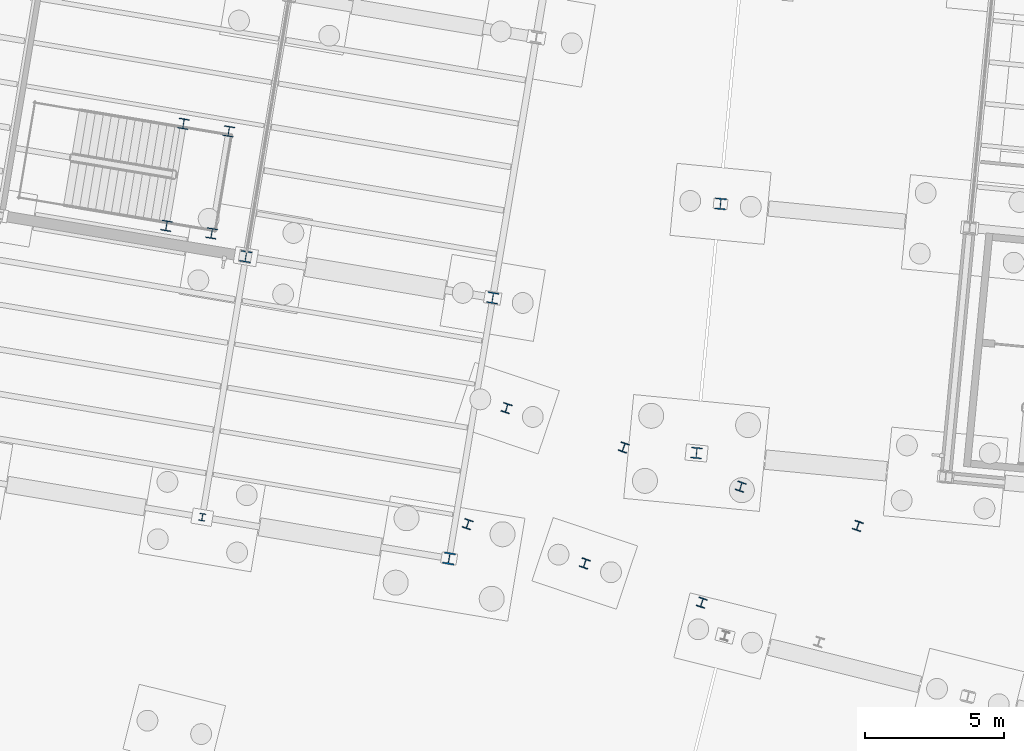
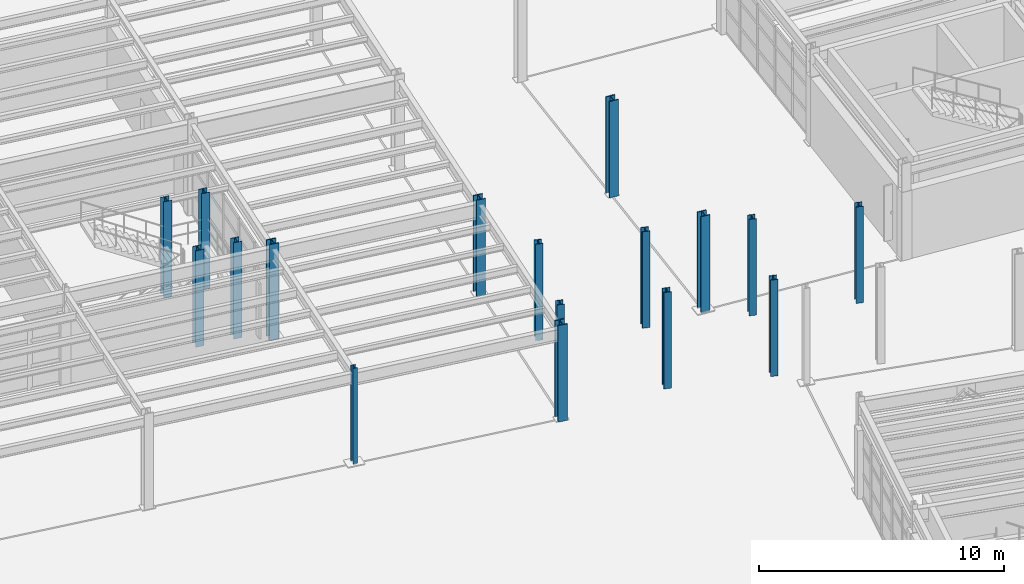
# One storey, part 21 of 108: 17 columns.
"""IFC4 building model written with IfcOpenShell, lengths in metres."""

from ifc_helpers import new_model, si_unit, direction, frame, origin, origin_2d, place, context, subcontext, project, spatial, i_section, extrude, material, material_profile, profile_set, type_object, element, save


model = new_model("IFC4")

# Units and contexts
model_context = context("Model", 3, precision=1e-05, world=origin(), true_north=direction((0.0, 1.0)))
body_context = subcontext(model_context, "Body", "Model", "MODEL_VIEW")
ifc_project = project(units=[si_unit("LENGTHUNIT", "METRE"), si_unit("AREAUNIT", "SQUARE_METRE"), si_unit("VOLUMEUNIT", "CUBIC_METRE"), si_unit("PLANEANGLEUNIT", "RADIAN"), si_unit("MASSUNIT", "GRAM", prefix="KILO")], contexts=[model_context])

# Site, building, storey
site_placement = place(None, origin())
site = spatial("IfcSite", under=ifc_project, at=site_placement, CompositionType="ELEMENT")
building_placement = place(site_placement, origin())
building = spatial("IfcBuilding", under=site, at=building_placement, Name="Vireo Bluff Cable Station", CompositionType="ELEMENT")
storey_placement = place(building_placement, origin())
storey = spatial("IfcBuildingStorey", under=building, at=storey_placement, Name="L00", CompositionType="ELEMENT", Elevation=0.0)

# Columns
ifc_material = material(Name="Steel ASTM A992 Gr. 50", Category="steel")
ifc_material_profile_1 = material_profile(ifc_material, i_section(OverallWidth=0.404052734375, OverallDepth=0.406005859375, WebThickness=0.027099609375, FlangeThickness=0.043701171875, FilletRadius=0.014892578125, at=origin_2d()), Name="W14X233")
ifc_profile_set_1 = profile_set([ifc_material_profile_1], Name="Steel ASTM A992 Gr. 50")
column_type_1 = type_object("IfcColumnType", Name="COL-W14X233", PredefinedType="COLUMN", material=ifc_profile_set_1)
column_1_placement = place(storey_placement, frame((59.64208984375, 76.824951171875, 0.0), z_axis=(0.0, 0.0, 1.0), x_axis=(0.995396198367, -0.09584575252, 0.0)))
element("IfcColumn", 1, at=column_1_placement, inside=storey, type_object=column_type_1, Name="V3 L00 column 197", PredefinedType="COLUMN", context=body_context, shape_type="SweptSolid", body=[
    extrude(i_section(OverallWidth=0.404052734375, OverallDepth=0.406005859375, WebThickness=0.027099609375, FlangeThickness=0.043701171875, FilletRadius=0.014892578125, at=origin_2d()), origin(), (0.0, 0.0, 1.0), 4.800048828125),
])
ifc_material_profile_2 = material_profile(ifc_material, i_section(OverallWidth=0.408935546875, OverallDepth=0.424072265625, WebThickness=0.03271484375, FlangeThickness=0.052490234375, FilletRadius=0.014892578125, at=origin_2d()), Name="W14X283")
ifc_profile_set_2 = profile_set([ifc_material_profile_2], Name="Steel ASTM A992 Gr. 50")
column_type_2 = type_object("IfcColumnType", Name="COL-W14X283", PredefinedType="COLUMN", material=ifc_profile_set_2)
column_2_placement = place(storey_placement, frame((49.8828125, 64.07275390625, 0.0), z_axis=(0.0, 0.0, 1.0), x_axis=(0.986285601537, -0.165047605861, 0.0)))
element("IfcColumn", 2, at=column_2_placement, inside=storey, type_object=column_type_2, Name="V4 L00 column 318", PredefinedType="COLUMN", context=body_context, shape_type="SweptSolid", body=[
    extrude(i_section(OverallWidth=0.408935546875, OverallDepth=0.424072265625, WebThickness=0.03271484375, FlangeThickness=0.052490234375, FilletRadius=0.014892578125, at=origin_2d()), origin(), (0.0, 0.0, 1.0), 4.800048828125),
])
ifc_material_profile_3 = material_profile(ifc_material, i_section(OverallWidth=0.367919921875, OverallDepth=0.35595703125, WebThickness=0.01123046875, FlangeThickness=0.01806640625, FilletRadius=0.014892578125, at=origin_2d()), Name="W14X90")
ifc_profile_set_3 = profile_set([ifc_material_profile_3], Name="Steel ASTM A992 Gr. 50")
column_type_3 = type_object("IfcColumnType", Name="COL-W14X90", PredefinedType="COLUMN", material=ifc_profile_set_3)
for number, where, z_axis, x_axis, name in (
    (3, (39.7177734375, 76.03466796875, 0.0), (0.0, 0.0, 1.0), (0.986285601537, -0.165047605861, 0.0), "ST-08 L00 landing support column 1"),
    (4, (41.344970703125, 75.76220703125, 0.0), (0.0, 0.0, 1.0), (0.986285601537, -0.165047605861, 0.0), "ST-08 L00 landing support column 2"),
    (5, (40.331787109375, 79.70361328125, 0.0), (0.0, 0.0, 1.0), (0.986285601537, -0.165047605861, 0.0), "ST-08 L00 landing support column 3"),
    (6, (41.958984375, 79.431396484375, 0.0), (0.0, 0.0, 1.0), (0.986285601537, -0.165047605861, 0.0), "ST-08 L00 landing support column 4"),
):
    element("IfcColumn", number, at=place(storey_placement, frame(where, z_axis=z_axis, x_axis=x_axis)), inside=storey, type_object=column_type_3, Name=name, PredefinedType="COLUMN", context=body_context, shape_type="SweptSolid", body=[
        extrude(i_section(OverallWidth=0.367919921875, OverallDepth=0.35595703125, WebThickness=0.01123046875, FlangeThickness=0.01806640625, FilletRadius=0.014892578125, at=origin_2d()), origin(), (0.0, 0.0, 1.0), 4.800048828125),
    ])
ifc_material_profile_4 = material_profile(ifc_material, i_section(OverallWidth=0.31298828125, OverallDepth=0.3330078125, WebThickness=0.01806640625, FlangeThickness=0.028076171875, FilletRadius=0.012939453125, at=origin_2d()), Name="W12X120")
ifc_profile_set_4 = profile_set([ifc_material_profile_4], Name="Steel ASTM A992 Gr. 50")
column_type_4 = type_object("IfcColumnType", Name="ECOL-W12X120", PredefinedType="COLUMN", material=ifc_profile_set_4)
for number, where, z_axis, x_axis, name in (
    (7, (50.550048828125, 65.306884765625, 0.0), (0.0, 0.0, 1.0), (0.948104710889, -0.317958263284, 0.0), "CABIN-TRANSFER skybridge column 1L L00"),
    (8, (51.948974609375, 69.478515625, 0.0), (0.0, 0.0, 1.0), (0.948104710889, -0.317958263284, 0.0), "CABIN-TRANSFER skybridge column 1R L00"),
    (9, (54.759521484375, 63.895263671875, 0.0), (0.0, 0.0, 1.0), (0.948104710889, -0.317958263284, 0.0), "CABIN-TRANSFER skybridge column 2L L00"),
    (10, (56.15869140625, 68.06689453125, 0.0), (0.0, 0.0, 1.0), (0.948104710889, -0.317958263284, 0.0), "CABIN-TRANSFER skybridge column 2R L00"),
    (11, (58.970458984375, 62.483154296875, 0.0), (0.0, 0.0, 1.0), (0.948104710889, -0.317958263284, 0.0), "CABIN-TRANSFER skybridge column 3L L00"),
    (12, (60.369384765625, 66.65478515625, 0.0), (0.0, 0.0, 1.0), (0.948104710889, -0.317958263284, 0.0), "CABIN-TRANSFER skybridge column 3R L00"),
    (13, (64.5791015625, 65.242919921875, 0.0), (0.0, 0.0, 1.0), (0.948104710889, -0.317958263284, 0.0), "CABIN-TRANSFER skybridge column 4R L00"),
):
    element("IfcColumn", number, at=place(storey_placement, frame(where, z_axis=z_axis, x_axis=x_axis)), inside=storey, type_object=column_type_4, Name=name, PredefinedType="COLUMN", context=body_context, shape_type="SweptSolid", body=[
        extrude(i_section(OverallWidth=0.31298828125, OverallDepth=0.3330078125, WebThickness=0.01806640625, FlangeThickness=0.028076171875, FilletRadius=0.012939453125, at=origin_2d()), origin(), (0.0, 0.0, 1.0), 4.800048828125),
    ])
ifc_material_profile_5 = material_profile(ifc_material, i_section(OverallWidth=0.40087890625, OverallDepth=0.39892578125, WebThickness=0.02490234375, FlangeThickness=0.03955078125, FilletRadius=0.014892578125, at=origin_2d()), Name="W14X211")
ifc_profile_set_5 = profile_set([ifc_material_profile_5], Name="Steel ASTM A992 Gr. 50")
column_type_5 = type_object("IfcColumnType", Name="ECOL-W14X211", PredefinedType="COLUMN", material=ifc_profile_set_5)
for number, where, z_axis, x_axis, name in (
    (14, (58.779541015625, 67.866455078125, 0.0), (0.0, 0.0, 1.0), (0.995396198367, -0.09584575252, 0.0), "V3 L00 column 195"),
    (15, (42.57421875, 74.927978515625, 0.0), (0.0, 0.0, 1.0), (0.986285601537, -0.165047605861, 0.0), "V4 L00 column 309"),
    (16, (51.45068359375, 73.442626953125, 0.0), (0.0, 0.0, 1.0), (0.986285601537, -0.165047605861, 0.0), "V4 L00 column 321"),
):
    element("IfcColumn", number, at=place(storey_placement, frame(where, z_axis=z_axis, x_axis=x_axis)), inside=storey, type_object=column_type_5, Name=name, PredefinedType="COLUMN", context=body_context, shape_type="SweptSolid", body=[
        extrude(i_section(OverallWidth=0.40087890625, OverallDepth=0.39892578125, WebThickness=0.02490234375, FlangeThickness=0.03955078125, FilletRadius=0.014892578125, at=origin_2d()), origin(), (0.0, 0.0, 1.0), 4.800048828125),
    ])
ifc_material_profile_6 = material_profile(ifc_material, i_section(OverallWidth=0.2041015625, OverallDepth=0.257080078125, WebThickness=0.0087890625, FlangeThickness=0.015625, FilletRadius=0.009033203125, at=origin_2d()), Name="W10X45")
ifc_profile_set_6 = profile_set([ifc_material_profile_6], Name="Steel ASTM A992 Gr. 50")
column_type_6 = type_object("IfcColumnType", Name="PIL-W10X45", PredefinedType="PILASTER", material=ifc_profile_set_6)
column_3_placement = place(storey_placement, frame((41.00634765625, 65.558349609375, 0.0), z_axis=(0.0, 0.0, 1.0), x_axis=(0.986285601537, -0.165047605861, 0.0)))
element("IfcColumn", 17, at=column_3_placement, inside=storey, type_object=column_type_6, Name="V4 L00 column 306", PredefinedType="PILASTER", context=body_context, shape_type="SweptSolid", body=[
    extrude(i_section(OverallWidth=0.2041015625, OverallDepth=0.257080078125, WebThickness=0.0087890625, FlangeThickness=0.015625, FilletRadius=0.009033203125, at=origin_2d()), origin(), (0.0, 0.0, 1.0), 4.800048828125),
])

save(model, "model.ifc")
